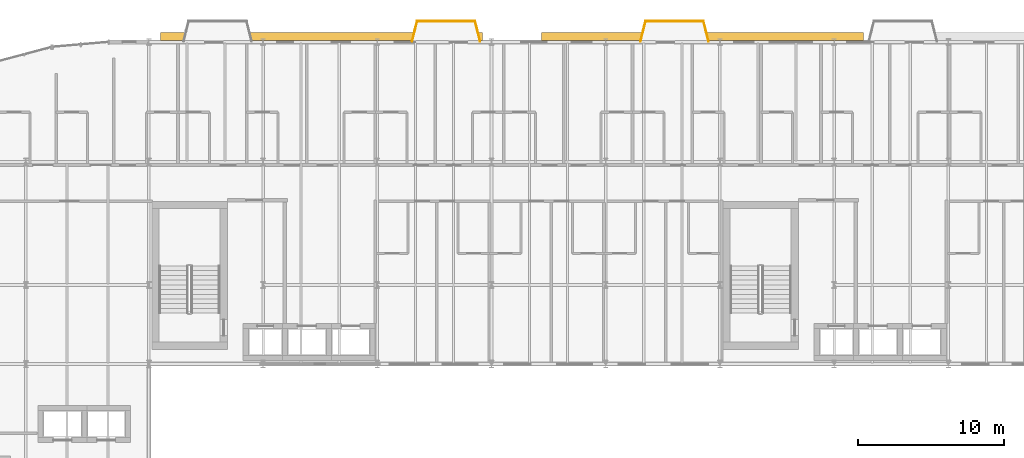
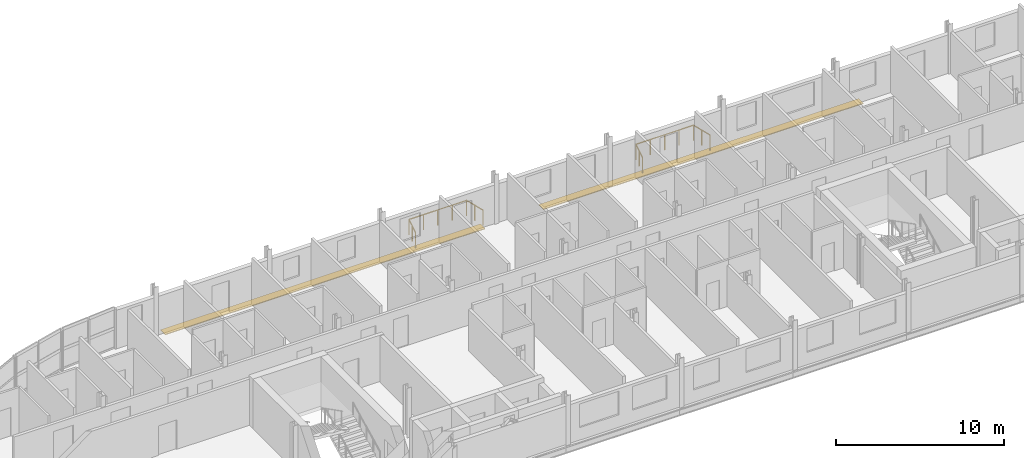
# One storey, part 34 of 36: 6 railings, 2 shading devices.
"""IFC4 building model written with IfcOpenShell, lengths in metres."""

from ifc_helpers import new_model, si_unit, direction, frame, origin, origin_2d, place, context, subcontext, project, spatial, rectangle, circle, extrude, material, layer, layer_set, type_object, element, save


model = new_model("IFC4")

# Units and contexts
model_context = context("Model", 3, precision=1e-05, world=origin(), true_north=direction((0.0, 1.0)))
body_context = subcontext(model_context, "Body", "Model", "MODEL_VIEW")
ifc_project = project(units=[si_unit("LENGTHUNIT", "METRE"), si_unit("AREAUNIT", "SQUARE_METRE"), si_unit("VOLUMEUNIT", "CUBIC_METRE"), si_unit("PLANEANGLEUNIT", "RADIAN"), si_unit("MASSUNIT", "GRAM", prefix="KILO")], contexts=[model_context])

# Site, building, storey
site_placement = place(None, origin())
site = spatial("IfcSite", under=ifc_project, at=site_placement, CompositionType="ELEMENT")
building_placement = place(site_placement, origin())
building = spatial("IfcBuilding", under=site, at=building_placement, Name="Sefraquen Railside Congress Hotel", CompositionType="ELEMENT")
storey_placement = place(building_placement, frame((0.0, 0.0, 28.199951171875)))
storey = spatial("IfcBuildingStorey", under=building, at=storey_placement, Name="L06", CompositionType="ELEMENT", Elevation=28.199951171875)

# Railings
ifc_material_1 = material(Name="Patinated wrought architectural bronze", Category="metal")
railing_type = type_object("IfcRailingType", Name="TRL-BAL-110", PredefinedType="BALUSTRADE", material=ifc_material_1)
railing_1_placement = place(storey_placement, frame((43.179931640625, 118.050048828125, 0.0)))
element("IfcRailing", 1, at=railing_1_placement, inside=storey, type_object=railing_type, Name="Guest balcony Art Nouveau balustrade L06-02", PredefinedType="BALUSTRADE", context=body_context, shape_type="SweptSolid", body=[
    extrude(circle(Radius=0.02392578125, at=origin_2d()), frame((0.0, 0.0, 1.09619140625), z_axis=(0.240948040829, 0.970538016577, 0.0), x_axis=(-0.970538016577, 0.240948040829, 0.0)), (0.0, 0.0, 1.0), 1.411376953125),
    extrude(circle(Radius=0.02099609375, at=origin_2d()), origin(), (0.0, 0.0, 1.0), 1.072021484375),
    extrude(circle(Radius=0.02099609375, at=origin_2d()), frame((0.169921875, 0.68505859375, 0.0)), (0.0, 0.0, 1.0), 1.072021484375),
    extrude(circle(Radius=0.02099609375, at=origin_2d()), frame((0.340087890625, 1.369873046875, 0.0)), (0.0, 0.0, 1.0), 1.072021484375),
])
railing_2_placement = place(storey_placement, frame((43.52001953125, 119.419921875, 0.0)))
element("IfcRailing", 2, at=railing_2_placement, inside=storey, type_object=railing_type, Name="Guest balcony Art Nouveau balustrade L06-02", PredefinedType="BALUSTRADE", context=body_context, shape_type="SweptSolid", body=[
    extrude(circle(Radius=0.02392578125, at=origin_2d()), frame((0.0, 0.0, 1.09619140625), z_axis=(1.0, 0.0, 0.0), x_axis=(0.0, 1.0, 0.0)), (0.0, 0.0, 1.0), 3.9599609375),
    extrude(circle(Radius=0.02099609375, at=origin_2d()), origin(), (0.0, 0.0, 1.0), 1.072021484375),
    extrude(circle(Radius=0.02099609375, at=origin_2d()), frame((0.989990234375, 0.0, 0.0)), (0.0, 0.0, 1.0), 1.072021484375),
    extrude(circle(Radius=0.02099609375, at=origin_2d()), frame((1.97998046875, 0.0, 0.0)), (0.0, 0.0, 1.0), 1.072021484375),
    extrude(circle(Radius=0.02099609375, at=origin_2d()), frame((2.969970703125, 0.0, 0.0)), (0.0, 0.0, 1.0), 1.072021484375),
    extrude(circle(Radius=0.02099609375, at=origin_2d()), frame((3.9599609375, 0.0, 0.0)), (0.0, 0.0, 1.0), 1.072021484375),
])
railing_3_placement = place(storey_placement, frame((47.47998046875, 119.419921875, 0.0)))
element("IfcRailing", 3, at=railing_3_placement, inside=storey, type_object=railing_type, Name="Guest balcony Art Nouveau balustrade L06-02", PredefinedType="BALUSTRADE", context=body_context, shape_type="SweptSolid", body=[
    extrude(circle(Radius=0.02392578125, at=origin_2d()), frame((0.0, 0.0, 1.09619140625), z_axis=(0.240948040829, -0.970538016577, 0.0), x_axis=(0.970538016577, 0.240948040829, 0.0)), (0.0, 0.0, 1.0), 1.411376953125),
    extrude(circle(Radius=0.02099609375, at=origin_2d()), origin(), (0.0, 0.0, 1.0), 1.072021484375),
    extrude(circle(Radius=0.02099609375, at=origin_2d()), frame((0.169921875, -0.68505859375, 0.0)), (0.0, 0.0, 1.0), 1.072021484375),
    extrude(circle(Radius=0.02099609375, at=origin_2d()), frame((0.340087890625, -1.369873046875, 0.0)), (0.0, 0.0, 1.0), 1.072021484375),
])
railing_4_placement = place(storey_placement, frame((58.780029296875, 118.050048828125, 0.0)))
element("IfcRailing", 4, at=railing_4_placement, inside=storey, type_object=railing_type, Name="Guest balcony Art Nouveau balustrade L06-03", PredefinedType="BALUSTRADE", context=body_context, shape_type="SweptSolid", body=[
    extrude(circle(Radius=0.02392578125, at=origin_2d()), frame((0.0, 0.0, 1.09619140625), z_axis=(0.240948040829, 0.970538016577, 0.0), x_axis=(-0.970538016577, 0.240948040829, 0.0)), (0.0, 0.0, 1.0), 1.411376953125),
    extrude(circle(Radius=0.02099609375, at=origin_2d()), origin(), (0.0, 0.0, 1.0), 1.072021484375),
    extrude(circle(Radius=0.02099609375, at=origin_2d()), frame((0.169921875, 0.68505859375, 0.0)), (0.0, 0.0, 1.0), 1.072021484375),
    extrude(circle(Radius=0.02099609375, at=origin_2d()), frame((0.340087890625, 1.369873046875, 0.0)), (0.0, 0.0, 1.0), 1.072021484375),
])
railing_5_placement = place(storey_placement, frame((59.1201171875, 119.419921875, 0.0)))
element("IfcRailing", 5, at=railing_5_placement, inside=storey, type_object=railing_type, Name="Guest balcony Art Nouveau balustrade L06-03", PredefinedType="BALUSTRADE", context=body_context, shape_type="SweptSolid", body=[
    extrude(circle(Radius=0.02392578125, at=origin_2d()), frame((0.0, 0.0, 1.09619140625), z_axis=(1.0, 0.0, 0.0), x_axis=(0.0, 1.0, 0.0)), (0.0, 0.0, 1.0), 3.9599609375),
    extrude(circle(Radius=0.02099609375, at=origin_2d()), origin(), (0.0, 0.0, 1.0), 1.072021484375),
    extrude(circle(Radius=0.02099609375, at=origin_2d()), frame((0.989990234375, 0.0, 0.0)), (0.0, 0.0, 1.0), 1.072021484375),
    extrude(circle(Radius=0.02099609375, at=origin_2d()), frame((1.97998046875, 0.0, 0.0)), (0.0, 0.0, 1.0), 1.072021484375),
    extrude(circle(Radius=0.02099609375, at=origin_2d()), frame((2.969970703125, 0.0, 0.0)), (0.0, 0.0, 1.0), 1.072021484375),
    extrude(circle(Radius=0.02099609375, at=origin_2d()), frame((3.9599609375, 0.0, 0.0)), (0.0, 0.0, 1.0), 1.072021484375),
])
railing_6_placement = place(storey_placement, frame((63.080078125, 119.419921875, 0.0)))
element("IfcRailing", 6, at=railing_6_placement, inside=storey, type_object=railing_type, Name="Guest balcony Art Nouveau balustrade L06-03", PredefinedType="BALUSTRADE", context=body_context, shape_type="SweptSolid", body=[
    extrude(circle(Radius=0.02392578125, at=origin_2d()), frame((0.0, 0.0, 1.09619140625), z_axis=(0.240785102022, -0.970578453627, 0.0), x_axis=(0.970578453627, 0.240785102022, 0.0)), (0.0, 0.0, 1.0), 1.411376953125),
    extrude(circle(Radius=0.02099609375, at=origin_2d()), origin(), (0.0, 0.0, 1.0), 1.072021484375),
    extrude(circle(Radius=0.02099609375, at=origin_2d()), frame((0.169921875, -0.68505859375, 0.0)), (0.0, 0.0, 1.0), 1.072021484375),
    extrude(circle(Radius=0.02099609375, at=origin_2d()), frame((0.33984375, -1.369873046875, 0.0)), (0.0, 0.0, 1.0), 1.072021484375),
])

# Shading devices
ifc_material_2 = material(Name="Patinated architectural bronze", Category="metal")
ifc_layer = layer(ifc_material_2, 0.06005859375)
ifc_layer_set = layer_set([ifc_layer], Name="Patinated architectural bronze")
shading_device_type = type_object("IfcShadingDeviceType", Name="TSH-BS-01", PredefinedType="USERDEFINED", material=ifc_layer_set)
for number, where, z_axis, x_axis, name in (
    (7, (37.0, 118.3798828125, -0.3798828125), (0.0, 0.0, 1.0), (1.0, 0.0, 0.0), "Hotel North Boulevard window sunshade L06-1"),
    (8, (63.0, 118.3798828125, -0.3798828125), (0.0, 0.0, 1.0), (1.0, 0.0, 0.0), "Hotel North Boulevard window sunshade L06-2"),
):
    element("IfcShadingDevice", number, at=place(storey_placement, frame(where, z_axis=z_axis, x_axis=x_axis)), inside=storey, type_object=shading_device_type, Name=name, ObjectType="BRISE SOLEIL", PredefinedType="USERDEFINED", context=body_context, shape_type="SweptSolid", body=[
        extrude(rectangle(XDim=22.0, YDim=0.550048828125, at=origin_2d()), origin(), (0.0, 0.0, 1.0), 0.06005859375),
    ])

save(model, "model.ifc")
